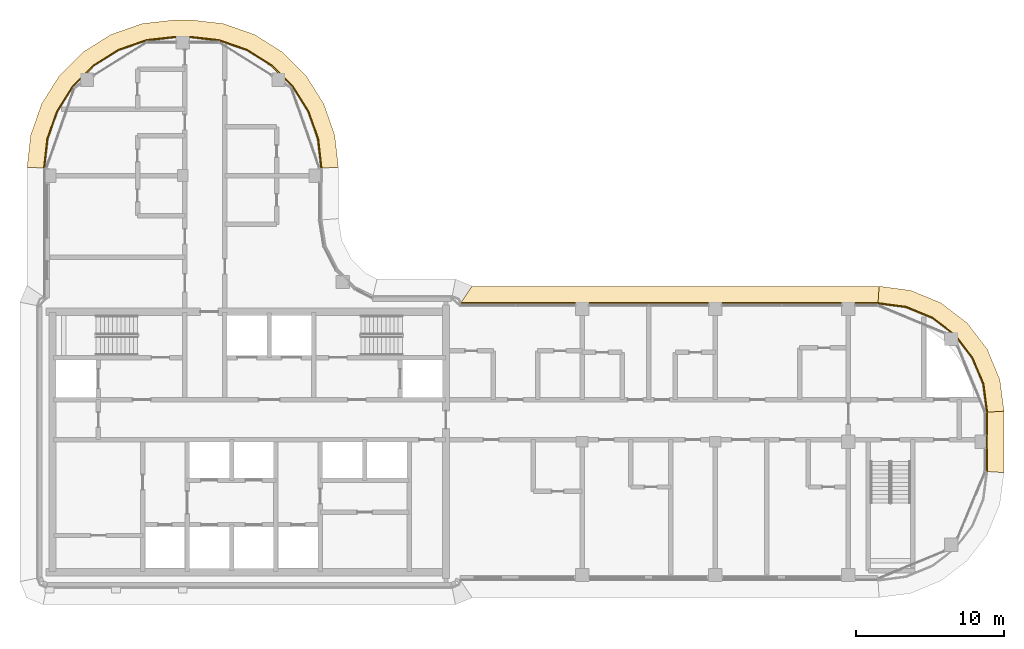
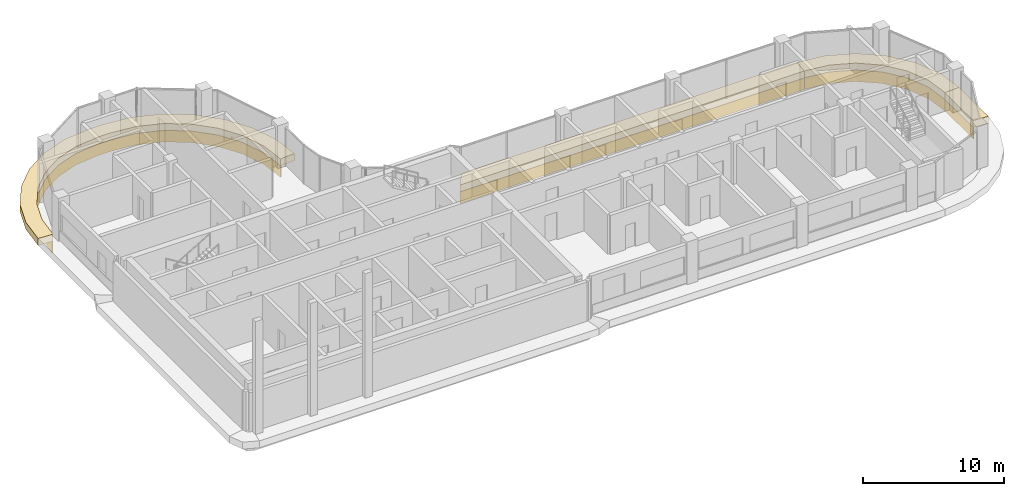
# One storey, part 20 of 20: 8 coverings.
"""IFC4 building model written with IfcOpenShell, lengths in metres."""

from ifc_helpers import new_model, si_unit, direction, frame, origin, place, context, subcontext, project, spatial, polyline, outline, extrude, material, layer, layer_set, type_object, element, save


model = new_model("IFC4")

# Units and contexts
model_context = context("Model", 3, precision=1e-05, world=origin(), true_north=direction((0.0, 1.0)))
body_context = subcontext(model_context, "Body", "Model", "MODEL_VIEW")
ifc_project = project(units=[si_unit("LENGTHUNIT", "METRE"), si_unit("AREAUNIT", "SQUARE_METRE"), si_unit("VOLUMEUNIT", "CUBIC_METRE"), si_unit("PLANEANGLEUNIT", "RADIAN"), si_unit("MASSUNIT", "GRAM", prefix="KILO")], contexts=[model_context])

# Site, building, storey
site_placement = place(None, origin())
site = spatial("IfcSite", under=ifc_project, at=site_placement, CompositionType="ELEMENT")
building_placement = place(site_placement, origin())
building = spatial("IfcBuilding", under=site, at=building_placement, Name="Ogive Portal Towers", CompositionType="ELEMENT")
storey_placement = place(building_placement, frame((0.0, 0.0, 214.300048828125)))
storey = spatial("IfcBuildingStorey", under=building, at=storey_placement, Name="L53", CompositionType="ELEMENT", Elevation=214.300048828125)

# Coverings
ifc_material = material(Name="Limestone cladding on lightweight block wall", Category="masonry")
ifc_layer_1 = layer(ifc_material, 0.080078125)
ifc_layer_set_1 = layer_set([ifc_layer_1], Name="STONE SPANDREL 80")
covering_type_1 = type_object("IfcCoveringType", Name="STONE SPANDREL 80", PredefinedType="CLADDING", material=ifc_layer_set_1)
covering_1_placement = place(storey_placement, frame((0.0, 0.0, -1.60009765625)))
element("IfcCovering", 1, at=covering_1_placement, inside=storey, type_object=covering_type_1, Name="Stone spandrel A1-F05", PredefinedType="CLADDING", context=body_context, shape_type="SweptSolid", body=[
    extrude(outline(polyline([(49.820068359375, 49.0), (49.598876953125, 50.962646484375), (48.946533203125, 52.826904296875), (47.895751953125, 54.499267578125), (46.499267578125, 55.895751953125), (44.826904296875, 56.946533203125), (42.962646484375, 57.598876953125), (41.0, 57.820068359375), (40.0, 57.820068359375), (38.037353515625, 57.598876953125), (36.173095703125, 56.946533203125), (34.500732421875, 55.895751953125), (33.104248046875, 54.499267578125), (32.053466796875, 52.826904296875), (31.401123046875, 50.962646484375), (31.179931640625, 49.0), (31.10009765625, 49.00439453125), (31.32275390625, 50.98046875), (31.98095703125, 52.86181640625), (33.041259765625, 54.54931640625), (34.45068359375, 55.958740234375), (36.13818359375, 57.01904296875), (38.01953125, 57.67724609375), (39.99560546875, 57.89990234375), (41.00439453125, 57.89990234375), (42.98046875, 57.67724609375), (44.86181640625, 57.01904296875), (46.54931640625, 55.958740234375), (47.958740234375, 54.54931640625), (49.01904296875, 52.86181640625), (49.67724609375, 50.98046875), (49.89990234375, 49.00439453125), (49.820068359375, 49.0)])), origin(), (0.0, 0.0, 1.0), 1.0),
])
covering_2_placement = place(storey_placement, frame((0.0, 0.0, -1.60009765625)))
element("IfcCovering", 2, at=covering_2_placement, inside=storey, type_object=covering_type_1, Name="Stone spandrel A1-F14", PredefinedType="CLADDING", context=body_context, shape_type="SweptSolid", body=[
    extrude(outline(polyline([(94.820068359375, 28.5), (94.820068359375, 32.5), (94.89990234375, 32.505126953125), (94.89990234375, 28.494873046875), (94.820068359375, 28.5)])), origin(), (0.0, 0.0, 1.0), 1.0),
])
covering_3_placement = place(storey_placement, frame((0.0, 0.0, -1.60009765625)))
element("IfcCovering", 3, at=covering_3_placement, inside=storey, type_object=covering_type_1, Name="Stone spandrel A1-F15", PredefinedType="CLADDING", context=body_context, shape_type="SweptSolid", body=[
    extrude(outline(polyline([(94.820068359375, 32.5), (94.570556640625, 34.39453125), (93.83935546875, 36.159912109375), (92.676025390625, 37.676025390625), (91.159912109375, 38.83935546875), (89.39453125, 39.570556640625), (87.5, 39.820068359375), (87.505126953125, 39.89990234375), (89.41552734375, 39.6484375), (91.200439453125, 38.9091796875), (92.733154296875, 37.733154296875), (93.9091796875, 36.200439453125), (94.6484375, 34.41552734375), (94.89990234375, 32.505126953125), (94.820068359375, 32.5)])), origin(), (0.0, 0.0, 1.0), 1.0),
])
covering_4_placement = place(storey_placement, frame((0.0, 0.0, -1.60009765625)))
element("IfcCovering", 4, at=covering_4_placement, inside=storey, type_object=covering_type_1, Name="Stone spandrel A1-F16", PredefinedType="CLADDING", context=body_context, shape_type="SweptSolid", body=[
    extrude(outline(polyline([(87.5, 39.820068359375), (59.250244140625, 39.820068359375), (59.3037109375, 39.89990234375), (87.505126953125, 39.89990234375), (87.5, 39.820068359375)])), origin(), (0.0, 0.0, 1.0), 1.0),
])
ifc_layer_2 = layer(ifc_material, 0.60009765625)
ifc_layer_set_2 = layer_set([ifc_layer_2], Name="SUNSHADE LIP 600")
covering_type_2 = type_object("IfcCoveringType", Name="SUNSHADE LIP 600", PredefinedType="CLADDING", material=ifc_layer_set_2)
covering_5_placement = place(storey_placement, frame((0.0, 0.0, -0.60009765625)))
element("IfcCovering", 5, at=covering_5_placement, inside=storey, type_object=covering_type_2, Name="Sunshade lip A1-F05", PredefinedType="CLADDING", context=body_context, shape_type="SweptSolid", body=[
    extrude(outline(polyline([(49.820068359375, 49.0), (49.598876953125, 50.962646484375), (48.946533203125, 52.826904296875), (47.895751953125, 54.499267578125), (46.499267578125, 55.895751953125), (44.826904296875, 56.946533203125), (42.962646484375, 57.598876953125), (41.0, 57.820068359375), (40.0, 57.820068359375), (38.037353515625, 57.598876953125), (36.173095703125, 56.946533203125), (34.500732421875, 55.895751953125), (33.104248046875, 54.499267578125), (32.053466796875, 52.826904296875), (31.401123046875, 50.962646484375), (31.179931640625, 49.0), (29.97998046875, 49.0673828125), (30.223876953125, 51.2314453125), (30.96533203125, 53.350830078125), (32.16015625, 55.252197265625), (33.747802734375, 56.83984375), (35.649169921875, 58.03466796875), (37.7685546875, 58.776123046875), (39.9326171875, 59.02001953125), (41.0673828125, 59.02001953125), (43.2314453125, 58.776123046875), (45.350830078125, 58.03466796875), (47.252197265625, 56.83984375), (48.83984375, 55.252197265625), (50.03466796875, 53.350830078125), (50.776123046875, 51.2314453125), (51.02001953125, 49.0673828125), (49.820068359375, 49.0)])), origin(), (0.0, 0.0, 1.0), 0.60009765625),
])
covering_6_placement = place(storey_placement, frame((0.0, 0.0, -0.60009765625)))
element("IfcCovering", 6, at=covering_6_placement, inside=storey, type_object=covering_type_2, Name="Sunshade lip A1-F14", PredefinedType="CLADDING", context=body_context, shape_type="SweptSolid", body=[
    extrude(outline(polyline([(94.820068359375, 28.5), (94.820068359375, 32.5), (96.02001953125, 32.57861328125), (96.02001953125, 28.42138671875), (94.820068359375, 28.5)])), origin(), (0.0, 0.0, 1.0), 0.60009765625),
])
covering_7_placement = place(storey_placement, frame((0.0, 0.0, -0.60009765625)))
element("IfcCovering", 7, at=covering_7_placement, inside=storey, type_object=covering_type_2, Name="Sunshade lip A1-F15", PredefinedType="CLADDING", context=body_context, shape_type="SweptSolid", body=[
    extrude(outline(polyline([(94.820068359375, 32.5), (94.570556640625, 34.39453125), (93.83935546875, 36.159912109375), (92.676025390625, 37.676025390625), (91.159912109375, 38.83935546875), (89.39453125, 39.570556640625), (87.5, 39.820068359375), (87.57861328125, 41.02001953125), (89.707763671875, 40.73974609375), (91.76513671875, 39.887451171875), (93.531982421875, 38.531982421875), (94.887451171875, 36.76513671875), (95.73974609375, 34.707763671875), (96.02001953125, 32.57861328125), (94.820068359375, 32.5)])), origin(), (0.0, 0.0, 1.0), 0.60009765625),
])
covering_8_placement = place(storey_placement, frame((0.0, 0.0, -0.60009765625)))
element("IfcCovering", 8, at=covering_8_placement, inside=storey, type_object=covering_type_2, Name="Sunshade lip A1-F16", PredefinedType="CLADDING", context=body_context, shape_type="SweptSolid", body=[
    extrude(outline(polyline([(87.5, 39.820068359375), (59.250244140625, 39.820068359375), (60.052001953125, 41.02001953125), (87.57861328125, 41.02001953125), (87.5, 39.820068359375)])), origin(), (0.0, 0.0, 1.0), 0.60009765625),
])

save(model, "model.ifc")
